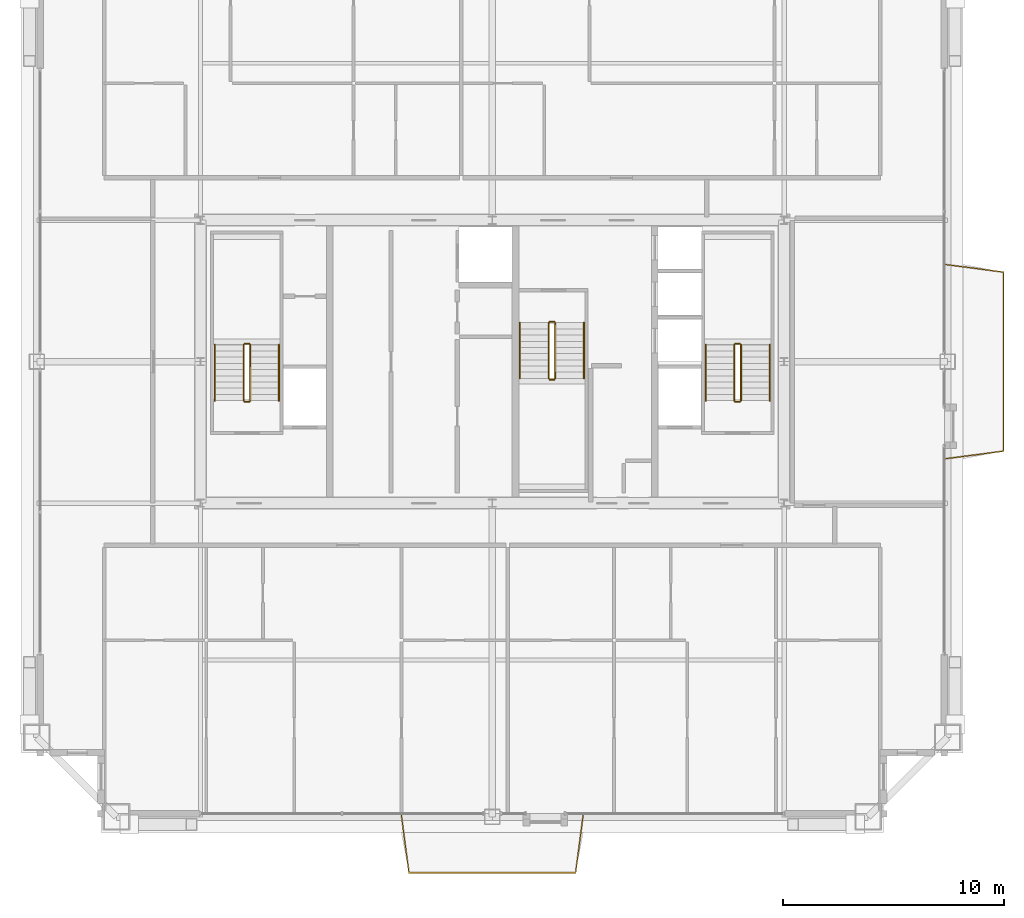
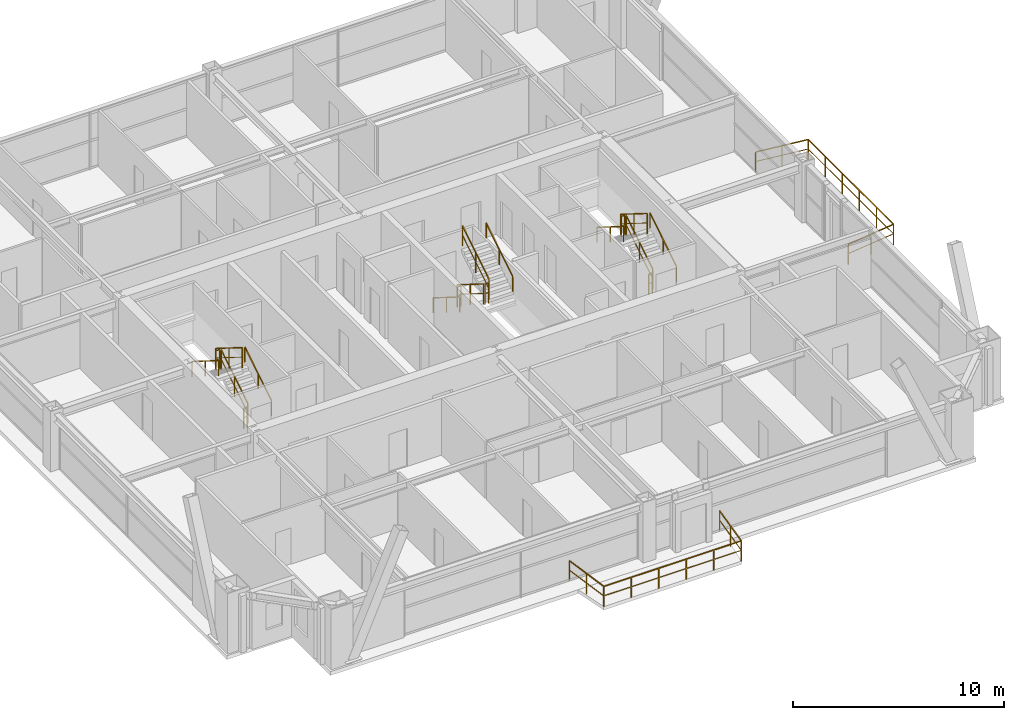
# One storey, part 37 of 37: 20 railings.
"""IFC4 building model written with IfcOpenShell, lengths in metres."""

from ifc_helpers import new_model, si_unit, direction, frame, origin, origin_2d, place, context, subcontext, project, spatial, rectangle, extrude, source, transform, mapped, material, layer, layer_set, type_object, element, save


model = new_model("IFC4")

# Units and contexts
model_context = context("Model", 3, precision=1e-05, world=origin(), true_north=direction((0.0, 1.0)))
body_context = subcontext(model_context, "Body", "Model", "MODEL_VIEW")
ifc_project = project(units=[si_unit("LENGTHUNIT", "METRE"), si_unit("AREAUNIT", "SQUARE_METRE"), si_unit("VOLUMEUNIT", "CUBIC_METRE"), si_unit("PLANEANGLEUNIT", "RADIAN"), si_unit("MASSUNIT", "GRAM", prefix="KILO"), si_unit("THERMODYNAMICTEMPERATUREUNIT", "KELVIN"), si_unit("POWERUNIT", "WATT")], contexts=[model_context])

# Site, building, storey
site_placement = place(None, origin())
site = spatial("IfcSite", under=ifc_project, at=site_placement, CompositionType="ELEMENT")
building_placement = place(site_placement, origin())
building = spatial("IfcBuilding", under=site, at=building_placement, Name="Yuzanri Waterfront Tower", CompositionType="ELEMENT")
storey_placement = place(building_placement, frame((0.0, 0.0, 278.60009765625)))
storey = spatial("IfcBuildingStorey", under=building, at=storey_placement, Name="L74", CompositionType="ELEMENT", Elevation=278.60009765625)

# Railings
ifc_material_1 = material(Name="Anodized Architectural Bronze", Category="metal")
ifc_layer_1 = layer(ifc_material_1, 0.080078125)
ifc_layer_set_1 = layer_set([ifc_layer_1], Name="Anodized Architectural Bronze")
railing_type_1 = type_object("IfcRailingType", Name="Laminated Glass and Bronze Balcony Guardrail 1200", PredefinedType="BALUSTRADE", material=ifc_layer_set_1)
shared_shape_1 = source(origin(), body_context, "Body", "SweptSolid", [
    extrude(rectangle(XDim=0.050048828125, YDim=0.050048828125, at=origin_2d()), frame((0.0, 0.0, 1.1748046875), z_axis=(0.129768598599, -0.991544306029, 0.0), x_axis=(0.991544306029, 0.129768598599, 0.0)), (0.0, 0.0, 1.0), 2.69775390625),
    extrude(rectangle(XDim=0.035888671875, YDim=0.030029296875, at=origin_2d()), frame((0.0, 0.0, 0.6240234375), z_axis=(0.129768598599, -0.991544306029, 0.0), x_axis=(0.991544306029, 0.129768598599, 0.0)), (0.0, 0.0, 1.0), 2.69775390625),
    extrude(rectangle(XDim=0.050048828125, YDim=0.050048828125, at=origin_2d()), frame((0.35009765625, -2.675048828125, 1.1748046875), z_axis=(1.0, 0.0, 0.0), x_axis=(0.0, 1.0, 0.0)), (0.0, 0.0, 1.0), 7.541015625),
    extrude(rectangle(XDim=0.035888671875, YDim=0.030029296875, at=origin_2d()), frame((0.35009765625, -2.675048828125, 0.6240234375), z_axis=(1.0, 0.0, 0.0), x_axis=(0.0, 1.0, 0.0)), (0.0, 0.0, 1.0), 7.541015625),
    extrude(rectangle(XDim=0.050048828125, YDim=0.050048828125, at=origin_2d()), frame((7.89111328125, -2.675048828125, 1.1748046875), z_axis=(0.129768598599, 0.991544306029, 0.0), x_axis=(-0.991544306029, 0.129768598599, 0.0)), (0.0, 0.0, 1.0), 2.69775390625),
    extrude(rectangle(XDim=0.035888671875, YDim=0.030029296875, at=origin_2d()), frame((7.89111328125, -2.675048828125, 0.6240234375), z_axis=(0.129768598599, 0.991544306029, 0.0), x_axis=(-0.991544306029, 0.129768598599, 0.0)), (0.0, 0.0, 1.0), 2.69775390625),
    extrude(rectangle(XDim=0.0458984375, YDim=0.0458984375, at=origin_2d()), origin(), (0.0, 0.0, 1.0), 1.14990234375),
    extrude(rectangle(XDim=0.0458984375, YDim=0.0458984375, at=origin_2d()), frame((0.175048828125, -1.33740234375, 0.0)), (0.0, 0.0, 1.0), 1.14990234375),
    extrude(rectangle(XDim=0.0458984375, YDim=0.0458984375, at=origin_2d()), frame((0.35009765625, -2.675048828125, 0.0)), (0.0, 0.0, 1.0), 1.14990234375),
    extrude(rectangle(XDim=0.0458984375, YDim=0.0458984375, at=origin_2d()), frame((1.8583984375, -2.675048828125, 0.0)), (0.0, 0.0, 1.0), 1.14990234375),
    extrude(rectangle(XDim=0.0458984375, YDim=0.0458984375, at=origin_2d()), frame((3.366455078125, -2.675048828125, 0.0)), (0.0, 0.0, 1.0), 1.14990234375),
    extrude(rectangle(XDim=0.0458984375, YDim=0.0458984375, at=origin_2d()), frame((4.874755859375, -2.675048828125, 0.0)), (0.0, 0.0, 1.0), 1.14990234375),
    extrude(rectangle(XDim=0.0458984375, YDim=0.0458984375, at=origin_2d()), frame((6.3828125, -2.675048828125, 0.0)), (0.0, 0.0, 1.0), 1.14990234375),
    extrude(rectangle(XDim=0.0458984375, YDim=0.0458984375, at=origin_2d()), frame((7.89111328125, -2.675048828125, 0.0)), (0.0, 0.0, 1.0), 1.14990234375),
    extrude(rectangle(XDim=0.0458984375, YDim=0.0458984375, at=origin_2d()), frame((8.066162109375, -1.33740234375, 0.0)), (0.0, 0.0, 1.0), 1.14990234375),
    extrude(rectangle(XDim=0.0458984375, YDim=0.0458984375, at=origin_2d()), frame((8.2412109375, 0.0, 0.0)), (0.0, 0.0, 1.0), 1.14990234375),
])
railing_1_placement = place(storey_placement, frame((32.87939453125, 5.35009765625, 0.0)))
element("IfcRailing", 1, at=railing_1_placement, inside=storey, type_object=railing_type_1, Name="L74 S Engawa Terrace Guardrail", PredefinedType="BALUSTRADE", context=body_context, shape_type="MappedRepresentation", body=[
    mapped(shared_shape_1, transform((0.0, 0.0, 0.0), scale=1.0)),
])
shared_shape_2 = source(origin(), body_context, "Body", "SweptSolid", [
    extrude(rectangle(XDim=0.050048828125, YDim=0.050048828125, at=origin_2d()), frame((0.0, 0.0, 1.1748046875), z_axis=(0.991544306029, 0.129768598599, 0.0), x_axis=(-0.129768598599, 0.991544306029, 0.0)), (0.0, 0.0, 1.0), 2.69775390625),
    extrude(rectangle(XDim=0.035888671875, YDim=0.030029296875, at=origin_2d()), frame((0.0, 0.0, 0.6240234375), z_axis=(0.991544306029, 0.129768598599, 0.0), x_axis=(-0.129768598599, 0.991544306029, 0.0)), (0.0, 0.0, 1.0), 2.69775390625),
    extrude(rectangle(XDim=0.050048828125, YDim=0.050048828125, at=origin_2d()), frame((2.675048828125, 0.35009765625, 1.1748046875), z_axis=(0.0, 1.0, 0.0), x_axis=(-1.0, 0.0, 0.0)), (0.0, 0.0, 1.0), 8.10009765625),
    extrude(rectangle(XDim=0.035888671875, YDim=0.030029296875, at=origin_2d()), frame((2.675048828125, 0.35009765625, 0.6240234375), z_axis=(0.0, 1.0, 0.0), x_axis=(-1.0, 0.0, 0.0)), (0.0, 0.0, 1.0), 8.10009765625),
    extrude(rectangle(XDim=0.050048828125, YDim=0.050048828125, at=origin_2d()), frame((2.675048828125, 8.4501953125, 1.1748046875), z_axis=(-0.991555946174, 0.129679626802, 0.0), x_axis=(-0.129679626802, -0.991555946174, 0.0)), (0.0, 0.0, 1.0), 2.69775390625),
    extrude(rectangle(XDim=0.035888671875, YDim=0.030029296875, at=origin_2d()), frame((2.675048828125, 8.4501953125, 0.6240234375), z_axis=(-0.991555946174, 0.129679626802, 0.0), x_axis=(-0.129679626802, -0.991555946174, 0.0)), (0.0, 0.0, 1.0), 2.69775390625),
    extrude(rectangle(XDim=0.0458984375, YDim=0.0458984375, at=origin_2d()), origin(), (0.0, 0.0, 1.0), 1.14990234375),
    extrude(rectangle(XDim=0.0458984375, YDim=0.0458984375, at=origin_2d()), frame((1.33740234375, 0.175048828125, 0.0)), (0.0, 0.0, 1.0), 1.14990234375),
    extrude(rectangle(XDim=0.0458984375, YDim=0.0458984375, at=origin_2d()), frame((2.675048828125, 0.35009765625, 0.0)), (0.0, 0.0, 1.0), 1.14990234375),
    extrude(rectangle(XDim=0.0458984375, YDim=0.0458984375, at=origin_2d()), frame((2.675048828125, 1.97021484375, 0.0)), (0.0, 0.0, 1.0), 1.14990234375),
    extrude(rectangle(XDim=0.0458984375, YDim=0.0458984375, at=origin_2d()), frame((2.675048828125, 3.590087890625, 0.0)), (0.0, 0.0, 1.0), 1.14990234375),
    extrude(rectangle(XDim=0.0458984375, YDim=0.0458984375, at=origin_2d()), frame((2.675048828125, 5.210205078125, 0.0)), (0.0, 0.0, 1.0), 1.14990234375),
    extrude(rectangle(XDim=0.0458984375, YDim=0.0458984375, at=origin_2d()), frame((2.675048828125, 6.830078125, 0.0)), (0.0, 0.0, 1.0), 1.14990234375),
    extrude(rectangle(XDim=0.0458984375, YDim=0.0458984375, at=origin_2d()), frame((2.675048828125, 8.4501953125, 0.0)), (0.0, 0.0, 1.0), 1.14990234375),
    extrude(rectangle(XDim=0.0458984375, YDim=0.0458984375, at=origin_2d()), frame((1.33740234375, 8.625, 0.0)), (0.0, 0.0, 1.0), 1.14990234375),
    extrude(rectangle(XDim=0.0458984375, YDim=0.0458984375, at=origin_2d()), frame((0.0, 8.800048828125, 0.0)), (0.0, 0.0, 1.0), 1.14990234375),
])
railing_2_placement = place(storey_placement, frame((57.449951171875, 21.39990234375, 0.0)))
element("IfcRailing", 2, at=railing_2_placement, inside=storey, type_object=railing_type_1, Name="L74 E Engawa Terrace Guardrail", PredefinedType="BALUSTRADE", context=body_context, shape_type="MappedRepresentation", body=[
    mapped(shared_shape_2, transform((0.0, 0.0, 0.0), scale=1.0)),
])
ifc_material_2 = material(Name="Painted Galvanized Fire Steel", Category="steel")
ifc_layer_2 = layer(ifc_material_2, 0.06005859375)
ifc_layer_set_2 = layer_set([ifc_layer_2], Name="Painted Galvanized Fire Steel")
railing_type_2 = type_object("IfcRailingType", Name="Painted Steel Stairwell Guardrail 1120", PredefinedType="GUARDRAIL", material=ifc_layer_set_2)
shared_shape_3 = source(origin(), body_context, "Body", "SweptSolid", [
    extrude(rectangle(XDim=0.050048828125, YDim=0.050048828125, at=origin_2d()), frame((0.0, 0.0, 1.1748046875), z_axis=(-1.0, 0.0, 0.0), x_axis=(0.0, -1.0, 0.0)), (0.0, 0.0, 1.0), 0.199951171875),
    extrude(rectangle(XDim=0.035888671875, YDim=0.030029296875, at=origin_2d()), frame((0.0, 0.0, 0.6240234375), z_axis=(-1.0, 0.0, 0.0), x_axis=(0.0, -1.0, 0.0)), (0.0, 0.0, 1.0), 0.199951171875),
    extrude(rectangle(XDim=0.0458984375, YDim=0.0458984375, at=origin_2d()), origin(), (0.0, 0.0, 1.0), 1.14990234375),
    extrude(rectangle(XDim=0.0458984375, YDim=0.0458984375, at=origin_2d()), frame((-0.199951171875, 0.0, 0.0)), (0.0, 0.0, 1.0), 1.14990234375),
])
for number, where, name in (
    (3, (26.0, 26.610107421875, 1.75), "L74 ST-01 stair guard 2"),
    (4, (26.0, 23.989990234375, 0.0), "L74 ST-01 stair guard 4"),
    (5, (48.199951171875, 26.610107421875, 1.75), "L74 ST-02 stair guard 2"),
    (6, (48.199951171875, 23.989990234375, 0.0), "L74 ST-02 stair guard 4"),
):
    element("IfcRailing", number, at=place(storey_placement, frame(where)), inside=storey, type_object=railing_type_2, Name=name, PredefinedType="GUARDRAIL", context=body_context, shape_type="MappedRepresentation", body=[
        mapped(shared_shape_3, transform((0.0, 0.0, 0.0), scale=1.0)),
    ])
shared_shape_4 = source(origin(), body_context, "Body", "SweptSolid", [
    extrude(rectangle(XDim=0.050048828125, YDim=0.050048828125, at=origin_2d()), frame((0.0, 0.0, 1.1748046875), z_axis=(0.0, 0.847970611238, 0.530043245855), x_axis=(-1.0, 0.0, 0.0)), (0.0, 0.0, 1.0), 2.971923828125),
    extrude(rectangle(XDim=0.035888671875, YDim=0.030029296875, at=origin_2d()), frame((0.0, 0.0, 0.6240234375), z_axis=(0.0, 0.847970611238, 0.530043245855), x_axis=(-1.0, 0.0, 0.0)), (0.0, 0.0, 1.0), 2.971923828125),
    extrude(rectangle(XDim=0.0458984375, YDim=0.0458984375, at=origin_2d()), origin(), (0.0, 0.0, 1.0), 1.14990234375),
    extrude(rectangle(XDim=0.0458984375, YDim=0.0458984375, at=origin_2d()), frame((0.0, 1.260009765625, 0.78759765625)), (0.0, 0.0, 1.0), 1.14990234375),
    extrude(rectangle(XDim=0.0458984375, YDim=0.0458984375, at=origin_2d()), frame((0.0, 2.52001953125, 1.5751953125)), (0.0, 0.0, 1.0), 1.14990234375),
])
for number, where, name in (
    (7, (26.050048828125, 24.0400390625, 0.1748046875), "L74 ST-01 stair guard 1"),
    (8, (48.25, 24.0400390625, 0.1748046875), "L74 ST-02 stair guard 1"),
    (9, (39.85009765625, 25.0400390625, 1.9248046875), "L74 ST-03 stair guard 3"),
):
    element("IfcRailing", number, at=place(storey_placement, frame(where)), inside=storey, type_object=railing_type_2, Name=name, PredefinedType="GUARDRAIL", context=body_context, shape_type="MappedRepresentation", body=[
        mapped(shared_shape_4, transform((0.0, 0.0, 0.0), scale=1.0)),
    ])
shared_shape_5 = source(origin(), body_context, "Body", "SweptSolid", [
    extrude(rectangle(XDim=0.050048828125, YDim=0.050048828125, at=origin_2d()), frame((0.0, 0.0, 1.1748046875), z_axis=(0.0, -0.847970611238, 0.530043245855), x_axis=(1.0, 0.0, 0.0)), (0.0, 0.0, 1.0), 2.971923828125),
    extrude(rectangle(XDim=0.035888671875, YDim=0.030029296875, at=origin_2d()), frame((0.0, 0.0, 0.6240234375), z_axis=(0.0, -0.847970611238, 0.530043245855), x_axis=(1.0, 0.0, 0.0)), (0.0, 0.0, 1.0), 2.971923828125),
    extrude(rectangle(XDim=0.0458984375, YDim=0.0458984375, at=origin_2d()), origin(), (0.0, 0.0, 1.0), 1.14990234375),
    extrude(rectangle(XDim=0.0458984375, YDim=0.0458984375, at=origin_2d()), frame((0.0, -1.260009765625, 0.78759765625)), (0.0, 0.0, 1.0), 1.14990234375),
    extrude(rectangle(XDim=0.0458984375, YDim=0.0458984375, at=origin_2d()), frame((0.0, -2.52001953125, 1.5751953125)), (0.0, 0.0, 1.0), 1.14990234375),
])
for number, where, name in (
    (10, (25.75, 26.56005859375, 1.9248046875), "L74 ST-01 stair guard 3"),
    (11, (47.949951171875, 26.56005859375, 1.9248046875), "L74 ST-02 stair guard 3"),
    (12, (39.550048828125, 27.56005859375, 0.1748046875), "L74 ST-03 stair guard 1"),
):
    element("IfcRailing", number, at=place(storey_placement, frame(where)), inside=storey, type_object=railing_type_2, Name=name, PredefinedType="GUARDRAIL", context=body_context, shape_type="MappedRepresentation", body=[
        mapped(shared_shape_5, transform((0.0, 0.0, 0.0), scale=1.0)),
    ])
ifc_material_3 = material(Name="Anodized Architectural Bronze", Category="metal")
ifc_layer_3 = layer(ifc_material_3, 0.050048828125)
ifc_layer_set_3 = layer_set([ifc_layer_3], Name="Anodized Architectural Bronze")
railing_type_3 = type_object("IfcRailingType", Name="Brushed Bronze Stair Pitch Handrail 920", PredefinedType="HANDRAIL", material=ifc_layer_set_3)
shared_shape_6 = source(origin(), body_context, "Body", "SweptSolid", [
    extrude(rectangle(XDim=0.050048828125, YDim=0.050048828125, at=origin_2d()), frame((0.0, 0.0, 0.875), z_axis=(0.0, 0.847970611238, 0.530043245855), x_axis=(-1.0, 0.0, 0.0)), (0.0, 0.0, 1.0), 2.971923828125),
    extrude(rectangle(XDim=0.0458984375, YDim=0.0458984375, at=origin_2d()), origin(), (0.0, 0.0, 1.0), 0.849853515625),
    extrude(rectangle(XDim=0.0458984375, YDim=0.0458984375, at=origin_2d()), frame((0.0, 1.260009765625, 0.78759765625)), (0.0, 0.0, 1.0), 0.849853515625),
    extrude(rectangle(XDim=0.0458984375, YDim=0.0458984375, at=origin_2d()), frame((0.0, 2.52001953125, 1.5751953125)), (0.0, 0.0, 1.0), 0.849853515625),
])
for number, where, name in (
    (13, (27.35009765625, 24.0400390625, 0.1748046875), "L74 ST-01 stair handrail 1"),
    (14, (49.550048828125, 24.0400390625, 0.1748046875), "L74 ST-02 stair handrail 1"),
    (15, (41.14990234375, 25.0400390625, 1.9248046875), "L74 ST-03 stair handrail 2"),
):
    element("IfcRailing", number, at=place(storey_placement, frame(where)), inside=storey, type_object=railing_type_3, Name=name, PredefinedType="HANDRAIL", context=body_context, shape_type="MappedRepresentation", body=[
        mapped(shared_shape_6, transform((0.0, 0.0, 0.0), scale=1.0)),
    ])
shared_shape_7 = source(origin(), body_context, "Body", "SweptSolid", [
    extrude(rectangle(XDim=0.050048828125, YDim=0.050048828125, at=origin_2d()), frame((0.0, 0.0, 0.875), z_axis=(0.0, -0.847970611238, 0.530043245855), x_axis=(1.0, 0.0, 0.0)), (0.0, 0.0, 1.0), 2.971923828125),
    extrude(rectangle(XDim=0.0458984375, YDim=0.0458984375, at=origin_2d()), origin(), (0.0, 0.0, 1.0), 0.849853515625),
    extrude(rectangle(XDim=0.0458984375, YDim=0.0458984375, at=origin_2d()), frame((0.0, -1.260009765625, 0.78759765625)), (0.0, 0.0, 1.0), 0.849853515625),
    extrude(rectangle(XDim=0.0458984375, YDim=0.0458984375, at=origin_2d()), frame((0.0, -2.52001953125, 1.5751953125)), (0.0, 0.0, 1.0), 0.849853515625),
])
for number, where, name in (
    (16, (24.449951171875, 26.56005859375, 1.9248046875), "L74 ST-01 stair handrail 2"),
    (17, (46.64990234375, 26.56005859375, 1.9248046875), "L74 ST-02 stair handrail 2"),
    (18, (38.25, 27.56005859375, 0.1748046875), "L74 ST-03 stair handrail 1"),
):
    element("IfcRailing", number, at=place(storey_placement, frame(where)), inside=storey, type_object=railing_type_3, Name=name, PredefinedType="HANDRAIL", context=body_context, shape_type="MappedRepresentation", body=[
        mapped(shared_shape_7, transform((0.0, 0.0, 0.0), scale=1.0)),
    ])
shared_shape_8 = source(origin(), body_context, "Body", "SweptSolid", [
    extrude(rectangle(XDim=0.050048828125, YDim=0.050048828125, at=origin_2d()), frame((0.0, 0.0, 1.1748046875), z_axis=(1.0, 0.0, 0.0), x_axis=(0.0, 1.0, 0.0)), (0.0, 0.0, 1.0), 0.199951171875),
    extrude(rectangle(XDim=0.035888671875, YDim=0.030029296875, at=origin_2d()), frame((0.0, 0.0, 0.6240234375), z_axis=(1.0, 0.0, 0.0), x_axis=(0.0, 1.0, 0.0)), (0.0, 0.0, 1.0), 0.199951171875),
    extrude(rectangle(XDim=0.0458984375, YDim=0.0458984375, at=origin_2d()), origin(), (0.0, 0.0, 1.0), 1.14990234375),
    extrude(rectangle(XDim=0.0458984375, YDim=0.0458984375, at=origin_2d()), frame((0.199951171875, 0.0, 0.0)), (0.0, 0.0, 1.0), 1.14990234375),
])
for number, where, name in (
    (19, (39.60009765625, 24.989990234375, 1.75), "L74 ST-03 stair guard 2"),
    (20, (39.60009765625, 27.610107421875, 0.0), "L74 ST-03 stair guard 4"),
):
    element("IfcRailing", number, at=place(storey_placement, frame(where)), inside=storey, type_object=railing_type_2, Name=name, PredefinedType="GUARDRAIL", context=body_context, shape_type="MappedRepresentation", body=[
        mapped(shared_shape_8, transform((0.0, 0.0, 0.0), scale=1.0)),
    ])

save(model, "model.ifc")
